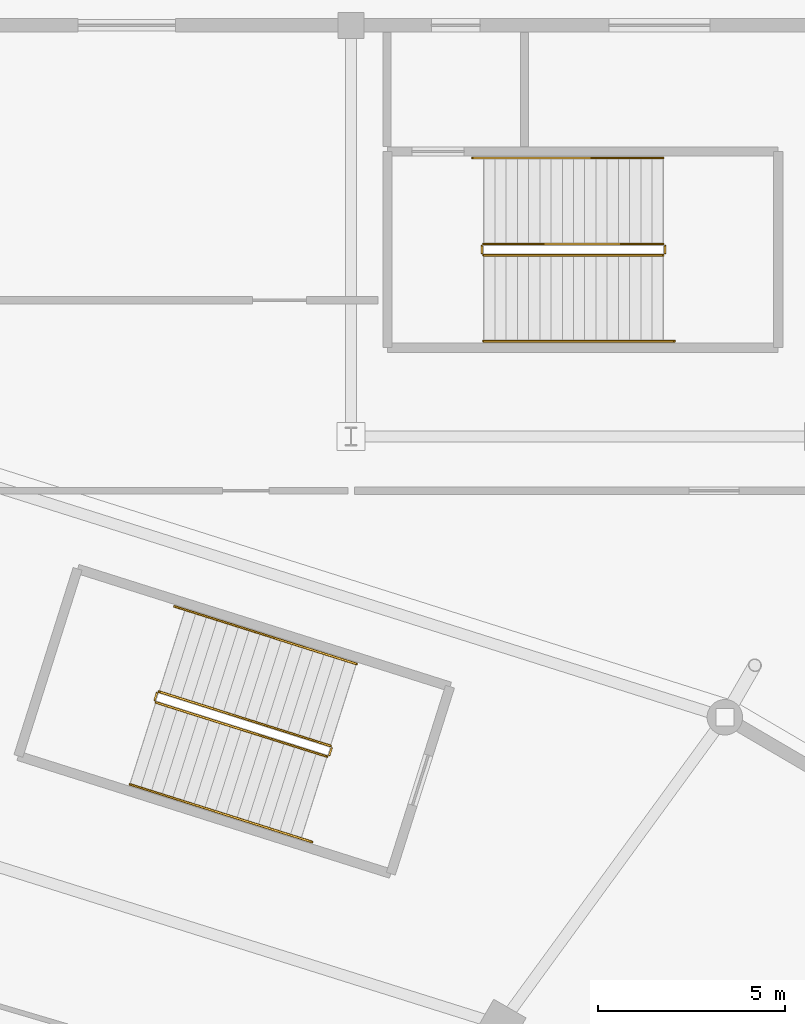
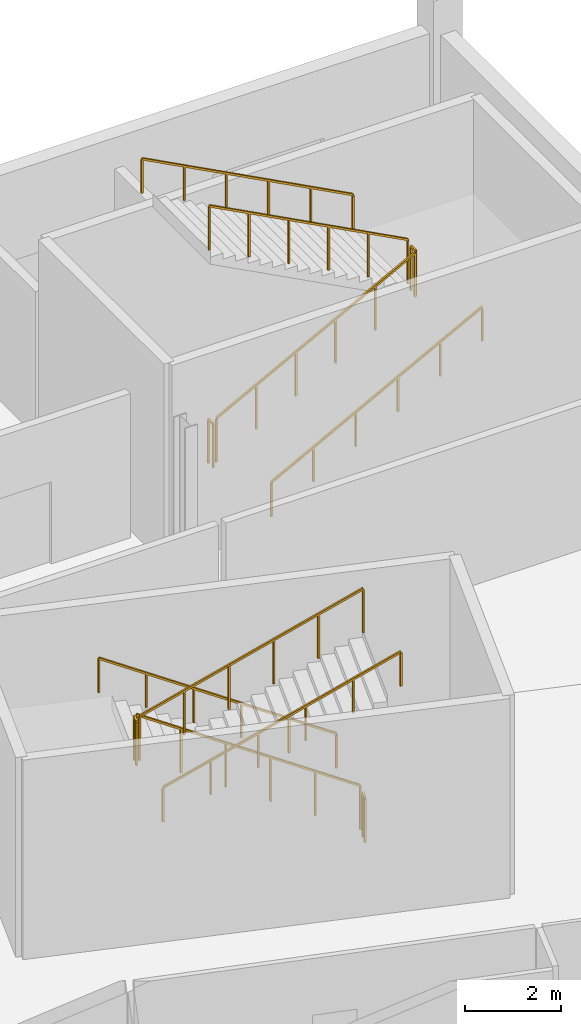
# One storey, part 81 of 82: 12 railings.
"""IFC4 building model written with IfcOpenShell, lengths in metres."""

from ifc_helpers import new_model, si_unit, direction, frame, origin, origin_2d, place, context, subcontext, project, spatial, rectangle, extrude, material, type_object, element, save


model = new_model("IFC4")

# Units and contexts
model_context = context("Model", 3, precision=1e-05, world=origin(), true_north=direction((0.0, 1.0)))
body_context = subcontext(model_context, "Body", "Model", "MODEL_VIEW")
ifc_project = project(units=[si_unit("LENGTHUNIT", "METRE"), si_unit("AREAUNIT", "SQUARE_METRE"), si_unit("VOLUMEUNIT", "CUBIC_METRE"), si_unit("PLANEANGLEUNIT", "RADIAN"), si_unit("MASSUNIT", "GRAM", prefix="KILO")], contexts=[model_context])

# Site, building, storey
site_placement = place(None, origin())
site = spatial("IfcSite", under=ifc_project, at=site_placement, CompositionType="ELEMENT")
building_placement = place(site_placement, origin())
building = spatial("IfcBuilding", under=site, at=building_placement, Name="Zlatoyarsky Gate Stadium", CompositionType="ELEMENT")
storey_placement = place(building_placement, origin())
storey = spatial("IfcBuildingStorey", under=building, at=storey_placement, Name="L00", CompositionType="ELEMENT", Elevation=0.0)

# Railings
ifc_material_1 = material(Name="Powder-coated steel stair guardrail", Category="steel")
railing_type_1 = type_object("IfcRailingType", Name="PAINTED STEEL STAIR WELL GUARDRAIL 1150", PredefinedType="GUARDRAIL", material=ifc_material_1)
railing_1_placement = place(storey_placement, frame((146.94482421875, 140.7236328125, 0.158935546875)))
element("IfcRailing", 1, at=railing_1_placement, inside=storey, type_object=railing_type_1, Name="ST-03 L00 stair guard 1", PredefinedType="GUARDRAIL", context=body_context, shape_type="SweptSolid", body=[
    extrude(rectangle(XDim=0.048095703125, YDim=0.048095703125, at=origin_2d()), frame((0.0, 0.0, 1.1259765625), z_axis=(-0.842672050096, 0.266476043581, 0.467861447637), x_axis=(-0.301511080938, -0.953462672616, 0.0)), (0.0, 0.0, 1.0), 5.43115234375),
    extrude(rectangle(XDim=0.0419921875, YDim=0.0419921875, at=origin_2d()), origin(), (0.0, 0.0, 1.0), 1.101806640625),
    extrude(rectangle(XDim=0.0419921875, YDim=0.0419921875, at=origin_2d()), frame((-0.915283203125, 0.28955078125, 0.50830078125)), (0.0, 0.0, 1.0), 1.101806640625),
    extrude(rectangle(XDim=0.0419921875, YDim=0.0419921875, at=origin_2d()), frame((-1.83056640625, 0.578857421875, 1.016357421875)), (0.0, 0.0, 1.0), 1.101806640625),
    extrude(rectangle(XDim=0.0419921875, YDim=0.0419921875, at=origin_2d()), frame((-2.74609375, 0.868408203125, 1.524658203125)), (0.0, 0.0, 1.0), 1.101806640625),
    extrude(rectangle(XDim=0.0419921875, YDim=0.0419921875, at=origin_2d()), frame((-3.661376953125, 1.15771484375, 2.03271484375)), (0.0, 0.0, 1.0), 1.101806640625),
    extrude(rectangle(XDim=0.0419921875, YDim=0.0419921875, at=origin_2d()), frame((-4.57666015625, 1.447265625, 2.541015625)), (0.0, 0.0, 1.0), 1.101806640625),
])
railing_2_placement = place(storey_placement, frame((142.305419921875, 142.13818359375, 2.699951171875)))
element("IfcRailing", 2, at=railing_2_placement, inside=storey, type_object=railing_type_1, Name="ST-03 L00 stair guard 2", PredefinedType="GUARDRAIL", context=body_context, shape_type="SweptSolid", body=[
    extrude(rectangle(XDim=0.048095703125, YDim=0.048095703125, at=origin_2d()), frame((0.0, 0.0, 1.1259765625), z_axis=(-0.301540327315, -0.953453423615, 0.0), x_axis=(0.953453423615, -0.301540327315, 0.0)), (0.0, 0.0, 1.0), 0.199951171875),
    extrude(rectangle(XDim=0.0419921875, YDim=0.0419921875, at=origin_2d()), origin(), (0.0, 0.0, 1.0), 1.101806640625),
    extrude(rectangle(XDim=0.0419921875, YDim=0.0419921875, at=origin_2d()), frame((-0.060302734375, -0.190673828125, 0.0)), (0.0, 0.0, 1.0), 1.101806640625),
])
railing_3_placement = place(storey_placement, frame((142.277587890625, 141.884765625, 2.85888671875)))
element("IfcRailing", 3, at=railing_3_placement, inside=storey, type_object=railing_type_1, Name="ST-03 L00 stair guard 3", PredefinedType="GUARDRAIL", context=body_context, shape_type="SweptSolid", body=[
    extrude(rectangle(XDim=0.048095703125, YDim=0.048095703125, at=origin_2d()), frame((0.0, 0.0, 1.1259765625), z_axis=(0.842672050096, -0.266476043581, 0.467861447637), x_axis=(0.301511080938, 0.953462672616, 0.0)), (0.0, 0.0, 1.0), 5.43115234375),
    extrude(rectangle(XDim=0.0419921875, YDim=0.0419921875, at=origin_2d()), origin(), (0.0, 0.0, 1.0), 1.101806640625),
    extrude(rectangle(XDim=0.0419921875, YDim=0.0419921875, at=origin_2d()), frame((0.915283203125, -0.28955078125, 0.50830078125)), (0.0, 0.0, 1.0), 1.101806640625),
    extrude(rectangle(XDim=0.0419921875, YDim=0.0419921875, at=origin_2d()), frame((1.83056640625, -0.578857421875, 1.016357421875)), (0.0, 0.0, 1.0), 1.101806640625),
    extrude(rectangle(XDim=0.0419921875, YDim=0.0419921875, at=origin_2d()), frame((2.74609375, -0.868408203125, 1.524658203125)), (0.0, 0.0, 1.0), 1.101806640625),
    extrude(rectangle(XDim=0.0419921875, YDim=0.0419921875, at=origin_2d()), frame((3.661376953125, -1.15771484375, 2.03271484375)), (0.0, 0.0, 1.0), 1.101806640625),
    extrude(rectangle(XDim=0.0419921875, YDim=0.0419921875, at=origin_2d()), frame((4.57666015625, -1.447265625, 2.541015625)), (0.0, 0.0, 1.0), 1.101806640625),
])
railing_4_placement = place(storey_placement, frame((146.977294921875, 140.660888671875, 0.0)))
element("IfcRailing", 4, at=railing_4_placement, inside=storey, type_object=railing_type_1, Name="ST-03 L00 stair guard 4", PredefinedType="GUARDRAIL", context=body_context, shape_type="SweptSolid", body=[
    extrude(rectangle(XDim=0.048095703125, YDim=0.048095703125, at=origin_2d()), frame((0.0, 0.0, 1.1259765625), z_axis=(-0.301540327315, -0.953453423615, 0.0), x_axis=(0.953453423615, -0.301540327315, 0.0)), (0.0, 0.0, 1.0), 0.199951171875),
    extrude(rectangle(XDim=0.0419921875, YDim=0.0419921875, at=origin_2d()), origin(), (0.0, 0.0, 1.0), 1.101806640625),
    extrude(rectangle(XDim=0.0419921875, YDim=0.0419921875, at=origin_2d()), frame((-0.060302734375, -0.190673828125, 0.0)), (0.0, 0.0, 1.0), 1.101806640625),
])
railing_5_placement = place(storey_placement, frame((151.050048828125, 153.85009765625, 0.158935546875)))
element("IfcRailing", 5, at=railing_5_placement, inside=storey, type_object=railing_type_1, Name="ST-32 L00 stair guard 1", PredefinedType="GUARDRAIL", context=body_context, shape_type="SweptSolid", body=[
    extrude(rectangle(XDim=0.048095703125, YDim=0.048095703125, at=origin_2d()), frame((0.0, 0.0, 1.1259765625), z_axis=(0.883802130504, 0.0, 0.467860870469), x_axis=(0.0, 1.0, 0.0)), (0.0, 0.0, 1.0), 5.43115234375),
    extrude(rectangle(XDim=0.0419921875, YDim=0.0419921875, at=origin_2d()), origin(), (0.0, 0.0, 1.0), 1.101806640625),
    extrude(rectangle(XDim=0.0419921875, YDim=0.0419921875, at=origin_2d()), frame((0.9599609375, 0.0, 0.50830078125)), (0.0, 0.0, 1.0), 1.101806640625),
    extrude(rectangle(XDim=0.0419921875, YDim=0.0419921875, at=origin_2d()), frame((1.919921875, 0.0, 1.016357421875)), (0.0, 0.0, 1.0), 1.101806640625),
    extrude(rectangle(XDim=0.0419921875, YDim=0.0419921875, at=origin_2d()), frame((2.880126953125, 0.0, 1.524658203125)), (0.0, 0.0, 1.0), 1.101806640625),
    extrude(rectangle(XDim=0.0419921875, YDim=0.0419921875, at=origin_2d()), frame((3.840087890625, 0.0, 2.03271484375)), (0.0, 0.0, 1.0), 1.101806640625),
    extrude(rectangle(XDim=0.0419921875, YDim=0.0419921875, at=origin_2d()), frame((4.800048828125, 0.0, 2.541015625)), (0.0, 0.0, 1.0), 1.101806640625),
])
railing_6_placement = place(storey_placement, frame((155.89990234375, 153.89990234375, 2.699951171875)))
element("IfcRailing", 6, at=railing_6_placement, inside=storey, type_object=railing_type_1, Name="ST-32 L00 stair guard 2", PredefinedType="GUARDRAIL", context=body_context, shape_type="SweptSolid", body=[
    extrude(rectangle(XDim=0.048095703125, YDim=0.048095703125, at=origin_2d()), frame((0.0, 0.0, 1.1259765625), z_axis=(0.0, 1.0, 0.0), x_axis=(-1.0, 0.0, 0.0)), (0.0, 0.0, 1.0), 0.2001953125),
    extrude(rectangle(XDim=0.0419921875, YDim=0.0419921875, at=origin_2d()), origin(), (0.0, 0.0, 1.0), 1.101806640625),
    extrude(rectangle(XDim=0.0419921875, YDim=0.0419921875, at=origin_2d()), frame((0.0, 0.2001953125, 0.0)), (0.0, 0.0, 1.0), 1.101806640625),
])
railing_7_placement = place(storey_placement, frame((155.85009765625, 154.14990234375, 2.85888671875)))
element("IfcRailing", 7, at=railing_7_placement, inside=storey, type_object=railing_type_1, Name="ST-32 L00 stair guard 3", PredefinedType="GUARDRAIL", context=body_context, shape_type="SweptSolid", body=[
    extrude(rectangle(XDim=0.048095703125, YDim=0.048095703125, at=origin_2d()), frame((0.0, 0.0, 1.1259765625), z_axis=(-0.883802130504, 0.0, 0.467860870469), x_axis=(0.0, -1.0, 0.0)), (0.0, 0.0, 1.0), 5.43115234375),
    extrude(rectangle(XDim=0.0419921875, YDim=0.0419921875, at=origin_2d()), origin(), (0.0, 0.0, 1.0), 1.101806640625),
    extrude(rectangle(XDim=0.0419921875, YDim=0.0419921875, at=origin_2d()), frame((-0.9599609375, 0.0, 0.50830078125)), (0.0, 0.0, 1.0), 1.101806640625),
    extrude(rectangle(XDim=0.0419921875, YDim=0.0419921875, at=origin_2d()), frame((-1.919921875, 0.0, 1.016357421875)), (0.0, 0.0, 1.0), 1.101806640625),
    extrude(rectangle(XDim=0.0419921875, YDim=0.0419921875, at=origin_2d()), frame((-2.880126953125, 0.0, 1.524658203125)), (0.0, 0.0, 1.0), 1.101806640625),
    extrude(rectangle(XDim=0.0419921875, YDim=0.0419921875, at=origin_2d()), frame((-3.840087890625, 0.0, 2.03271484375)), (0.0, 0.0, 1.0), 1.101806640625),
    extrude(rectangle(XDim=0.0419921875, YDim=0.0419921875, at=origin_2d()), frame((-4.800048828125, 0.0, 2.541015625)), (0.0, 0.0, 1.0), 1.101806640625),
])
railing_8_placement = place(storey_placement, frame((151.0, 153.89990234375, 0.0)))
element("IfcRailing", 8, at=railing_8_placement, inside=storey, type_object=railing_type_1, Name="ST-32 L00 stair guard 4", PredefinedType="GUARDRAIL", context=body_context, shape_type="SweptSolid", body=[
    extrude(rectangle(XDim=0.048095703125, YDim=0.048095703125, at=origin_2d()), frame((0.0, 0.0, 1.1259765625), z_axis=(0.0, 1.0, 0.0), x_axis=(-1.0, 0.0, 0.0)), (0.0, 0.0, 1.0), 0.2001953125),
    extrude(rectangle(XDim=0.0419921875, YDim=0.0419921875, at=origin_2d()), origin(), (0.0, 0.0, 1.0), 1.101806640625),
    extrude(rectangle(XDim=0.0419921875, YDim=0.0419921875, at=origin_2d()), frame((0.0, 0.2001953125, 0.0)), (0.0, 0.0, 1.0), 1.101806640625),
])
ifc_material_2 = material(Name="Brushed stainless steel 316 handrail", Category="steel")
railing_type_2 = type_object("IfcRailingType", Name="STAINLESS STEEL TUBULAR HANDRAIL 900", PredefinedType="HANDRAIL", material=ifc_material_2)
railing_9_placement = place(storey_placement, frame((147.63818359375, 142.91650390625, 0.162841796875)))
element("IfcRailing", 9, at=railing_9_placement, inside=storey, type_object=railing_type_2, Name="ST-03 L00 stair handrail 1", PredefinedType="HANDRAIL", context=body_context, shape_type="SweptSolid", body=[
    extrude(rectangle(XDim=0.048095703125, YDim=0.048095703125, at=origin_2d()), frame((0.0, 0.0, 0.8759765625), z_axis=(-0.842651293376, 0.266498995681, 0.46788575857), x_axis=(-0.301541441746, -0.953453071163, 0.0)), (0.0, 0.0, 1.0), 5.7705078125),
    extrude(rectangle(XDim=0.0419921875, YDim=0.0419921875, at=origin_2d()), origin(), (0.0, 0.0, 1.0), 0.851806640625),
    extrude(rectangle(XDim=0.0419921875, YDim=0.0419921875, at=origin_2d()), frame((-0.972412109375, 0.3076171875, 0.5400390625)), (0.0, 0.0, 1.0), 0.851806640625),
    extrude(rectangle(XDim=0.0419921875, YDim=0.0419921875, at=origin_2d()), frame((-1.945068359375, 0.615234375, 1.080078125)), (0.0, 0.0, 1.0), 0.851806640625),
    extrude(rectangle(XDim=0.0419921875, YDim=0.0419921875, at=origin_2d()), frame((-2.91748046875, 0.922607421875, 1.619873046875)), (0.0, 0.0, 1.0), 0.851806640625),
    extrude(rectangle(XDim=0.0419921875, YDim=0.0419921875, at=origin_2d()), frame((-3.89013671875, 1.230224609375, 2.159912109375)), (0.0, 0.0, 1.0), 0.851806640625),
    extrude(rectangle(XDim=0.0419921875, YDim=0.0419921875, at=origin_2d()), frame((-4.862548828125, 1.537841796875, 2.699951171875)), (0.0, 0.0, 1.0), 0.851806640625),
])
railing_10_placement = place(storey_placement, frame((141.584228515625, 139.69189453125, 2.86279296875)))
element("IfcRailing", 10, at=railing_10_placement, inside=storey, type_object=railing_type_2, Name="ST-03 L00 stair handrail 2", PredefinedType="HANDRAIL", context=body_context, shape_type="SweptSolid", body=[
    extrude(rectangle(XDim=0.048095703125, YDim=0.048095703125, at=origin_2d()), frame((0.0, 0.0, 0.8759765625), z_axis=(0.842651293376, -0.266498995681, 0.46788575857), x_axis=(0.301541441746, 0.953453071163, 0.0)), (0.0, 0.0, 1.0), 5.7705078125),
    extrude(rectangle(XDim=0.0419921875, YDim=0.0419921875, at=origin_2d()), origin(), (0.0, 0.0, 1.0), 0.851806640625),
    extrude(rectangle(XDim=0.0419921875, YDim=0.0419921875, at=origin_2d()), frame((0.972412109375, -0.3076171875, 0.5400390625)), (0.0, 0.0, 1.0), 0.851806640625),
    extrude(rectangle(XDim=0.0419921875, YDim=0.0419921875, at=origin_2d()), frame((1.945068359375, -0.615234375, 1.080078125)), (0.0, 0.0, 1.0), 0.851806640625),
    extrude(rectangle(XDim=0.0419921875, YDim=0.0419921875, at=origin_2d()), frame((2.91748046875, -0.922607421875, 1.619873046875)), (0.0, 0.0, 1.0), 0.851806640625),
    extrude(rectangle(XDim=0.0419921875, YDim=0.0419921875, at=origin_2d()), frame((3.89013671875, -1.230224609375, 2.159912109375)), (0.0, 0.0, 1.0), 0.851806640625),
    extrude(rectangle(XDim=0.0419921875, YDim=0.0419921875, at=origin_2d()), frame((4.862548828125, -1.537841796875, 2.699951171875)), (0.0, 0.0, 1.0), 0.851806640625),
])
railing_11_placement = place(storey_placement, frame((151.050048828125, 151.550048828125, 0.162841796875)))
element("IfcRailing", 11, at=railing_11_placement, inside=storey, type_object=railing_type_2, Name="ST-32 L00 stair handrail 1", PredefinedType="HANDRAIL", context=body_context, shape_type="SweptSolid", body=[
    extrude(rectangle(XDim=0.048095703125, YDim=0.048095703125, at=origin_2d()), frame((0.0, 0.0, 0.8759765625), z_axis=(0.883785858079, 0.0, 0.467891608238), x_axis=(0.0, 1.0, 0.0)), (0.0, 0.0, 1.0), 5.7705078125),
    extrude(rectangle(XDim=0.0419921875, YDim=0.0419921875, at=origin_2d()), origin(), (0.0, 0.0, 1.0), 0.851806640625),
    extrude(rectangle(XDim=0.0419921875, YDim=0.0419921875, at=origin_2d()), frame((1.02001953125, 0.0, 0.5400390625)), (0.0, 0.0, 1.0), 0.851806640625),
    extrude(rectangle(XDim=0.0419921875, YDim=0.0419921875, at=origin_2d()), frame((2.0400390625, 0.0, 1.080078125)), (0.0, 0.0, 1.0), 0.851806640625),
    extrude(rectangle(XDim=0.0419921875, YDim=0.0419921875, at=origin_2d()), frame((3.059814453125, 0.0, 1.619873046875)), (0.0, 0.0, 1.0), 0.851806640625),
    extrude(rectangle(XDim=0.0419921875, YDim=0.0419921875, at=origin_2d()), frame((4.079833984375, 0.0, 2.159912109375)), (0.0, 0.0, 1.0), 0.851806640625),
    extrude(rectangle(XDim=0.0419921875, YDim=0.0419921875, at=origin_2d()), frame((5.099853515625, 0.0, 2.699951171875)), (0.0, 0.0, 1.0), 0.851806640625),
])
railing_12_placement = place(storey_placement, frame((155.85009765625, 156.449951171875, 2.86279296875)))
element("IfcRailing", 12, at=railing_12_placement, inside=storey, type_object=railing_type_2, Name="ST-32 L00 stair handrail 2", PredefinedType="HANDRAIL", context=body_context, shape_type="SweptSolid", body=[
    extrude(rectangle(XDim=0.048095703125, YDim=0.048095703125, at=origin_2d()), frame((0.0, 0.0, 0.8759765625), z_axis=(-0.883795119882, 0.0, 0.467874113489), x_axis=(0.0, -1.0, 0.0)), (0.0, 0.0, 1.0), 5.770751953125),
    extrude(rectangle(XDim=0.0419921875, YDim=0.0419921875, at=origin_2d()), origin(), (0.0, 0.0, 1.0), 0.851806640625),
    extrude(rectangle(XDim=0.0419921875, YDim=0.0419921875, at=origin_2d()), frame((-1.02001953125, 0.0, 0.5400390625)), (0.0, 0.0, 1.0), 0.851806640625),
    extrude(rectangle(XDim=0.0419921875, YDim=0.0419921875, at=origin_2d()), frame((-2.0400390625, 0.0, 1.080078125)), (0.0, 0.0, 1.0), 0.851806640625),
    extrude(rectangle(XDim=0.0419921875, YDim=0.0419921875, at=origin_2d()), frame((-3.06005859375, 0.0, 1.619873046875)), (0.0, 0.0, 1.0), 0.851806640625),
    extrude(rectangle(XDim=0.0419921875, YDim=0.0419921875, at=origin_2d()), frame((-4.080078125, 0.0, 2.159912109375)), (0.0, 0.0, 1.0), 0.851806640625),
    extrude(rectangle(XDim=0.0419921875, YDim=0.0419921875, at=origin_2d()), frame((-5.10009765625, 0.0, 2.699951171875)), (0.0, 0.0, 1.0), 0.851806640625),
])

save(model, "model.ifc")
